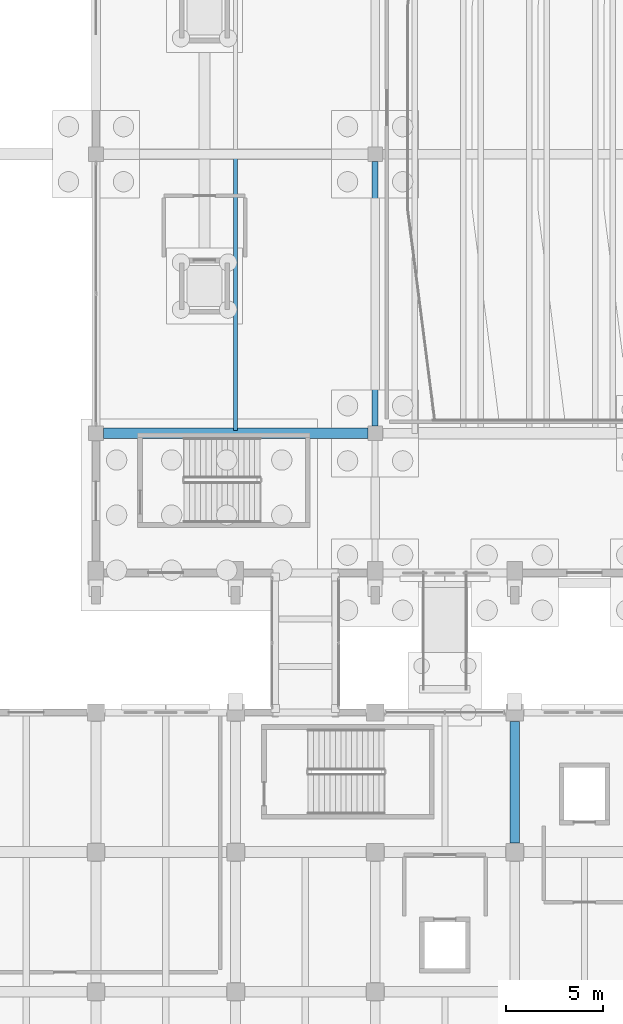
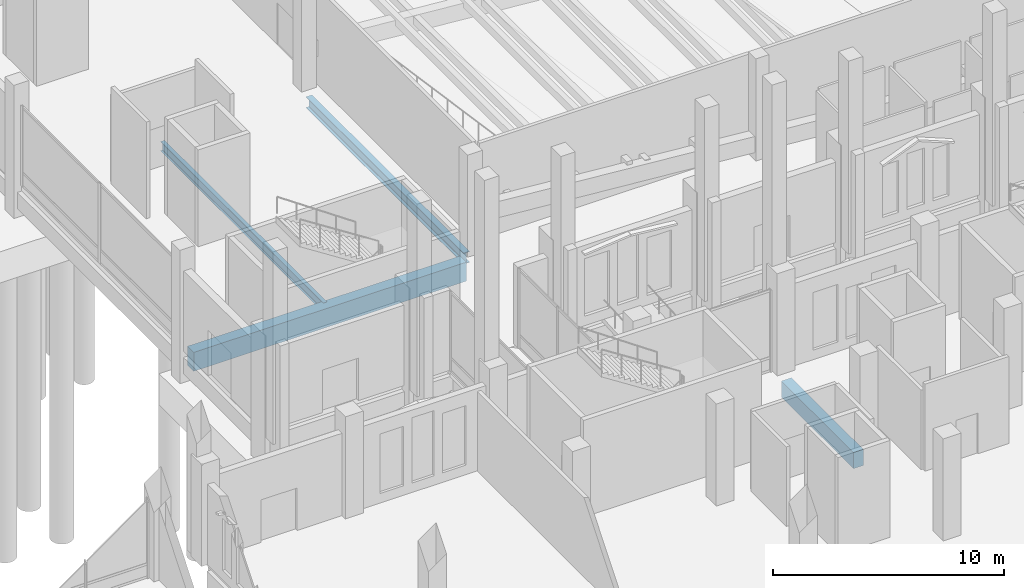
# One storey, part 92 of 192: 4 beams.
"""IFC4 building model written with IfcOpenShell, lengths in metres."""

from ifc_helpers import new_model, si_unit, direction, frame, origin, origin_2d, place, context, subcontext, project, spatial, rectangle, i_section, extrude, material, material_profile, profile_set, type_object, element, save


model = new_model("IFC4")

# Units and contexts
model_context = context("Model", 3, precision=1e-05, world=origin(), true_north=direction((0.0, 1.0)))
body_context = subcontext(model_context, "Body", "Model", "MODEL_VIEW")
ifc_project = project(units=[si_unit("LENGTHUNIT", "METRE"), si_unit("AREAUNIT", "SQUARE_METRE"), si_unit("VOLUMEUNIT", "CUBIC_METRE"), si_unit("PLANEANGLEUNIT", "RADIAN"), si_unit("MASSUNIT", "GRAM", prefix="KILO")], contexts=[model_context])

# Site, building, storey
site_placement = place(None, origin())
site = spatial("IfcSite", under=ifc_project, at=site_placement, CompositionType="ELEMENT")
building_placement = place(site_placement, origin())
building = spatial("IfcBuilding", under=site, at=building_placement, Name="Cendralis Lancet Convention Centre", CompositionType="ELEMENT")
storey_placement = place(building_placement, origin())
storey = spatial("IfcBuildingStorey", under=building, at=storey_placement, Name="L00", CompositionType="ELEMENT", Elevation=0.0)

# Beams
ifc_material_1 = material(Name="Concrete G40 (C40/50)", Category="concrete")
ifc_material_profile_1 = material_profile(ifc_material_1, rectangle(XDim=0.550048828125, YDim=1.0, at=origin_2d()), Name="RCB 550x1000")
ifc_profile_set_1 = profile_set([ifc_material_profile_1], Name="Concrete G40 (C40/50)")
beam_type_1 = type_object("IfcBeamType", Name="STR-BM-BG05", PredefinedType="BEAM", material=ifc_profile_set_1)
beam_1_placement = place(storey_placement, frame((139.574951171875, 50.39990234375, -0.820068359375), z_axis=(1.0, 0.0, 0.0), x_axis=(0.0, 1.0, 0.0)))
element("IfcBeam", 1, at=beam_1_placement, inside=storey, type_object=beam_type_1, Name="L00 Beam BG05 #1355", PredefinedType="BEAM", context=body_context, shape_type="SweptSolid", body=[
    extrude(rectangle(XDim=0.550048828125, YDim=1.0, at=origin_2d()), origin(), (0.0, 0.0, 1.0), 13.650146484375),
])
ifc_material_2 = material(Name="Concrete G35 (C35/45)", Category="concrete")
ifc_material_profile_2 = material_profile(ifc_material_2, rectangle(XDim=0.5, YDim=0.85009765625, at=origin_2d()), Name="RCB 500x850")
ifc_profile_set_2 = profile_set([ifc_material_profile_2], Name="Concrete G35 (C35/45)")
beam_type_2 = type_object("IfcBeamType", Name="STR-BM-BG08", PredefinedType="BEAM", material=ifc_profile_set_2)
beam_2_placement = place(storey_placement, frame((160.800048828125, 29.27490234375, -0.7451171875), z_axis=(0.0, 1.0, 0.0), x_axis=(-1.0, 0.0, 0.0)))
element("IfcBeam", 2, at=beam_2_placement, inside=storey, type_object=beam_type_2, Name="L00 Beam BG08 #0069", PredefinedType="BEAM", context=body_context, shape_type="SweptSolid", body=[
    extrude(rectangle(XDim=0.5, YDim=0.85009765625, at=origin_2d()), origin(), (0.0, 0.0, 1.0), 6.25),
])
ifc_material_3 = material(Name="Steel S355", Category="steel")
ifc_material_profile_3 = material_profile(ifc_material_3, i_section(OverallWidth=0.300048828125, OverallDepth=0.590087890625, WebThickness=0.012939453125, FlangeThickness=0.02490234375, FilletRadius=0.027099609375, at=origin_2d()), Name="HEA 600")
ifc_profile_set_3 = profile_set([ifc_material_profile_3], Name="Steel S355")
beam_type_3 = type_object("IfcBeamType", Name="STR-BM-SG10", PredefinedType="BEAM", material=ifc_profile_set_3)
beam_3_placement = place(storey_placement, frame((153.60009765625, 50.77490234375, -0.614990234375), z_axis=(0.0, 1.0, 0.0), x_axis=(-1.0, 0.0, 0.0)))
element("IfcBeam", 3, at=beam_3_placement, inside=storey, type_object=beam_type_3, Name="L00 Beam SG10 #1373", PredefinedType="BEAM", context=body_context, shape_type="SweptSolid", body=[
    extrude(i_section(OverallWidth=0.300048828125, OverallDepth=0.590087890625, WebThickness=0.012939453125, FlangeThickness=0.02490234375, FilletRadius=0.027099609375, at=origin_2d()), origin(), (0.0, 0.0, 1.0), 13.650146484375),
])
ifc_material_profile_4 = material_profile(ifc_material_3, i_section(OverallWidth=0.199951171875, OverallDepth=0.5, WebThickness=0.01025390625, FlangeThickness=0.01611328125, FilletRadius=0.02099609375, at=origin_2d()), Name="IPE 500")
ifc_profile_set_4 = profile_set([ifc_material_profile_4], Name="Steel S355")
beam_type_4 = type_object("IfcBeamType", Name="STR-JS-BJ06", PredefinedType="JOIST", material=ifc_profile_set_4)
beam_4_placement = place(storey_placement, frame((146.39990234375, 50.550048828125, -0.570068359375), z_axis=(0.0, 1.0, 0.0), x_axis=(-1.0, 0.0, 0.0)))
element("IfcBeam", 4, at=beam_4_placement, inside=storey, type_object=beam_type_4, Name="L00 Beam BJ06 #1387", PredefinedType="JOIST", context=body_context, shape_type="SweptSolid", body=[
    extrude(i_section(OverallWidth=0.199951171875, OverallDepth=0.5, WebThickness=0.01025390625, FlangeThickness=0.01611328125, FilletRadius=0.02099609375, at=origin_2d()), origin(), (0.0, 0.0, 1.0), 14.099853515625),
])

save(model, "model.ifc")
